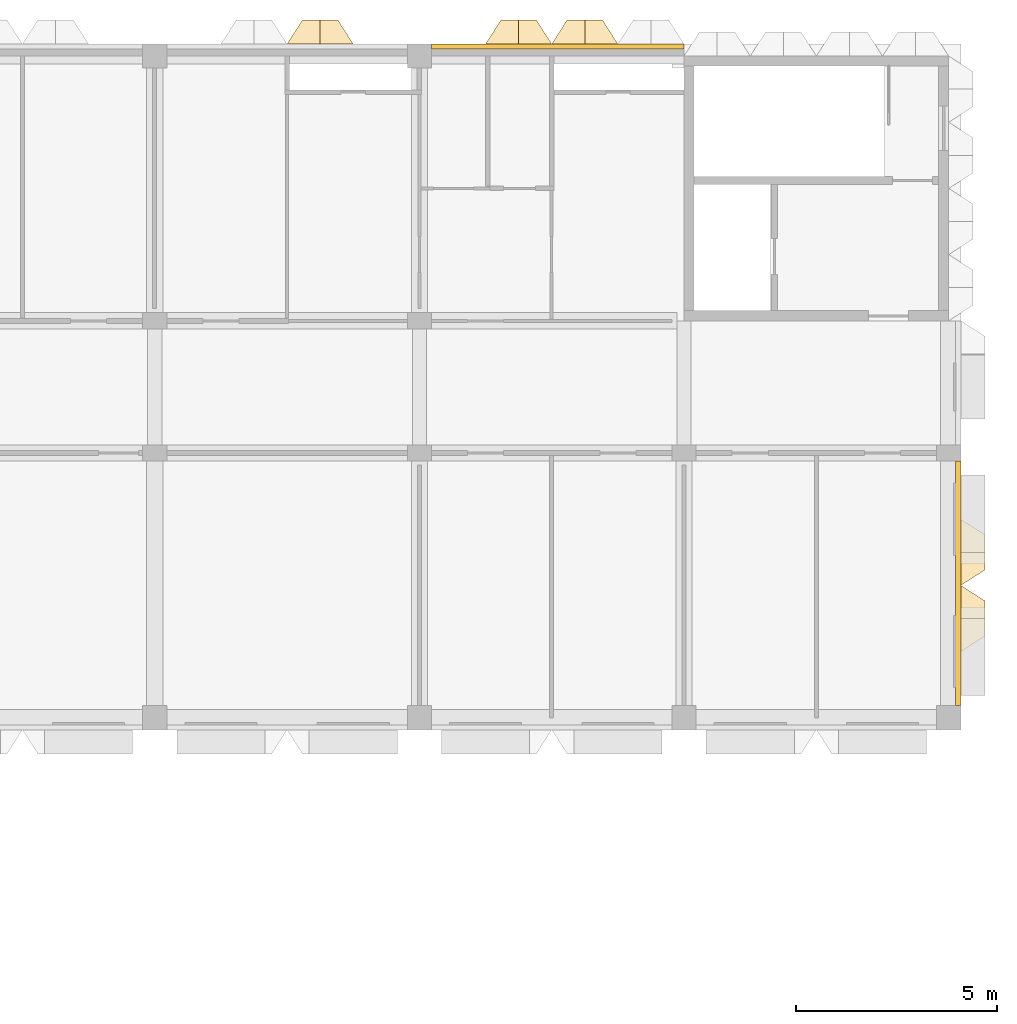
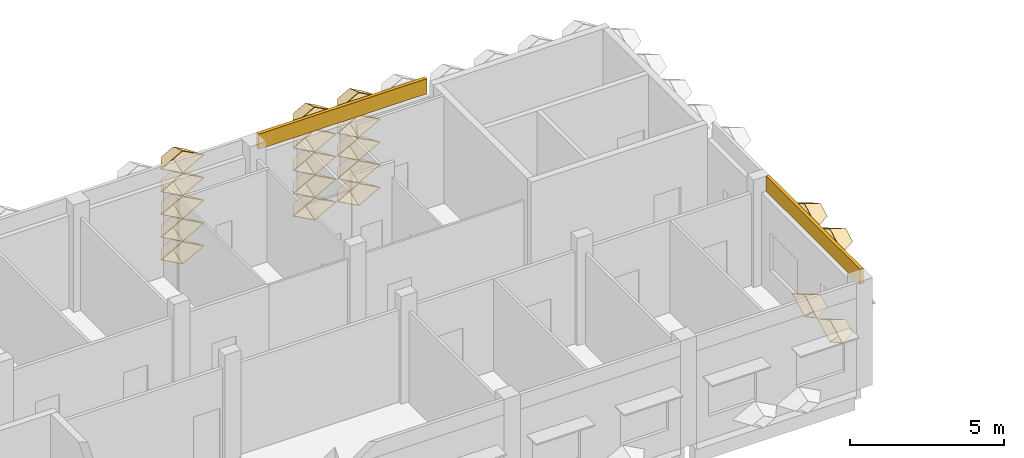
# One storey, part 81 of 85: 21 coverings.
"""IFC4 building model written with IfcOpenShell, lengths in metres."""

from ifc_helpers import new_model, entity, si_unit, direction, frame, frame_2d, origin, place, context, subcontext, project, spatial, rectangle, extrude, material, layer, layer_set, type_object, element, save


model = new_model("IFC4")

# Units and contexts
model_context = context("Model", 3, precision=1e-05, world=origin(), true_north=direction((0.0, 1.0)))
body_context = subcontext(model_context, "Body", "Model", "MODEL_VIEW")
ifc_project = project(units=[si_unit("LENGTHUNIT", "METRE"), si_unit("AREAUNIT", "SQUARE_METRE"), si_unit("VOLUMEUNIT", "CUBIC_METRE"), si_unit("PLANEANGLEUNIT", "RADIAN"), si_unit("MASSUNIT", "GRAM", prefix="KILO")], contexts=[model_context])

# Site, building, storey
site_placement = place(None, origin())
site = spatial("IfcSite", under=ifc_project, at=site_placement, CompositionType="ELEMENT")
building_placement = place(site_placement, origin())
building = spatial("IfcBuilding", under=site, at=building_placement, Name="Lantern Court Research Institute", CompositionType="ELEMENT")
storey_placement = place(building_placement, frame((0.0, 0.0, 18.89990234375)))
storey = spatial("IfcBuildingStorey", under=building, at=storey_placement, Name="L04", CompositionType="ELEMENT", Elevation=18.89990234375)

# Coverings
ifc_material_1 = material(Name="Aluminium composite panel with mineral wool insulation", Category="aluminium")
ifc_layer_1 = layer(ifc_material_1, 0.125)
ifc_layer_set_1 = layer_set([ifc_layer_1], Name="Aluminium composite panel with mineral wool insulation")
covering_type_1 = type_object("IfcCoveringType", Name="Edge fascia panel 125 aluminium faced", PredefinedType="CLADDING", material=ifc_layer_set_1)
covering_1_placement = place(storey_placement, frame((79.4375, 88.89990234375, 3.650146484375), z_axis=(0.0, 0.0, 1.0), x_axis=(0.0, -1.0, 0.0)))
element("IfcCovering", 1, at=covering_1_placement, inside=storey, type_object=covering_type_1, Name="Edge fascia V6E L04 01", PredefinedType="CLADDING", context=body_context, shape_type="SweptSolid", body=[
    extrude(rectangle(XDim=6.099853515625, YDim=0.125, at=frame_2d((3.0498046875, 0.0))), origin(), (0.0, 0.0, 1.0), 0.599853515625),
])
covering_2_placement = place(storey_placement, frame((66.300048828125, 99.237548828125, 3.650146484375), z_axis=(0.0, 0.0, 1.0), x_axis=(1.0, 0.0, 0.0)))
element("IfcCovering", 2, at=covering_2_placement, inside=storey, type_object=covering_type_1, Name="Edge fascia V6N L04 10", PredefinedType="CLADDING", context=body_context, shape_type="SweptSolid", body=[
    extrude(rectangle(XDim=6.300048828125, YDim=0.125, at=frame_2d((3.14990234375, 0.0))), origin(), (0.0, 0.0, 1.0), 0.599853515625),
])
ifc_material_2 = material(Name="Anodised aluminium", Category="aluminium")
ifc_layer_2 = layer(ifc_material_2, 0.01611328125)
ifc_layer_set_2 = layer_set([ifc_layer_2], Name="Anodised aluminium")
covering_type_2 = type_object("IfcCoveringType", Name="Fin cassette 1650 x 900 x 600 aluminium", PredefinedType="CLADDING", material=ifc_layer_set_2)
covering_3_placement = place(storey_placement, frame((79.5, 84.97509765625, 0.4501953125), z_axis=(1.0, 0.0, 0.0), x_axis=(0.0, 1.0, 0.0)))
cartesian_point_1 = entity("IfcCartesianPoint", [0.824951171875, 0.0])
cartesian_point_2 = entity("IfcCartesianPoint", [0.79150390625, 0.0])
cartesian_point_3 = entity("IfcCartesianPoint", [0.44189453125, 0.0])
cartesian_point_4 = entity("IfcCartesianPoint", [0.43359375, 0.0])
element("IfcCovering", 3, at=covering_3_placement, inside=storey, type_object=covering_type_2, Name="Fin cassette V6E-L04 1.52", PredefinedType="CLADDING", context=body_context, shape_type="SweptSolid", body=[
    entity("IfcExtrudedAreaSolidTapered", entity("IfcArbitraryProfileDefWithVoids", "AREA", None, entity("IfcPolyline", [cartesian_point_1, entity("IfcCartesianPoint", [0.0, 0.449951171875]), entity("IfcCartesianPoint", [-0.824951171875, 0.0]), entity("IfcCartesianPoint", [0.0, -0.449951171875]), cartesian_point_1]), [entity("IfcPolyline", [cartesian_point_2, entity("IfcCartesianPoint", [0.0, 0.431884765625]), entity("IfcCartesianPoint", [-0.79150390625, 0.0]), entity("IfcCartesianPoint", [0.0, -0.431884765625]), cartesian_point_2])]), entity("IfcAxis2Placement3D", entity("IfcCartesianPoint", [0.0, 0.0, 0.0])), entity("IfcDirection", [0.0, 0.0, 1.0]), 0.60009765625, entity("IfcArbitraryProfileDefWithVoids", "AREA", None, entity("IfcPolyline", [cartesian_point_3, entity("IfcCartesianPoint", [0.0, 0.240966796875]), entity("IfcCartesianPoint", [-0.44189453125, 0.0]), entity("IfcCartesianPoint", [0.0, -0.240966796875]), cartesian_point_3]), [entity("IfcPolyline", [cartesian_point_4, entity("IfcCartesianPoint", [0.0, 0.236572265625]), entity("IfcCartesianPoint", [-0.43359375, 0.0]), entity("IfcCartesianPoint", [0.0, -0.236572265625]), cartesian_point_4])])),
])
covering_4_placement = place(storey_placement, frame((79.5, 86.625, 0.4501953125), z_axis=(1.0, 0.0, 0.0), x_axis=(0.0, 1.0, 0.0)))
cartesian_point_5 = entity("IfcCartesianPoint", [0.824951171875, 0.0])
cartesian_point_6 = entity("IfcCartesianPoint", [0.79150390625, 0.0])
cartesian_point_7 = entity("IfcCartesianPoint", [0.44189453125, 0.0])
cartesian_point_8 = entity("IfcCartesianPoint", [0.43359375, 0.0])
element("IfcCovering", 4, at=covering_4_placement, inside=storey, type_object=covering_type_2, Name="Fin cassette V6E-L04 1.53", PredefinedType="CLADDING", context=body_context, shape_type="SweptSolid", body=[
    entity("IfcExtrudedAreaSolidTapered", entity("IfcArbitraryProfileDefWithVoids", "AREA", None, entity("IfcPolyline", [cartesian_point_5, entity("IfcCartesianPoint", [0.0, 0.449951171875]), entity("IfcCartesianPoint", [-0.824951171875, 0.0]), entity("IfcCartesianPoint", [0.0, -0.449951171875]), cartesian_point_5]), [entity("IfcPolyline", [cartesian_point_6, entity("IfcCartesianPoint", [0.0, 0.431884765625]), entity("IfcCartesianPoint", [-0.79150390625, 0.0]), entity("IfcCartesianPoint", [0.0, -0.431884765625]), cartesian_point_6])]), entity("IfcAxis2Placement3D", entity("IfcCartesianPoint", [0.0, 0.0, 0.0])), entity("IfcDirection", [0.0, 0.0, 1.0]), 0.60009765625, entity("IfcArbitraryProfileDefWithVoids", "AREA", None, entity("IfcPolyline", [cartesian_point_7, entity("IfcCartesianPoint", [0.0, 0.240966796875]), entity("IfcCartesianPoint", [-0.44189453125, 0.0]), entity("IfcCartesianPoint", [0.0, -0.240966796875]), cartesian_point_7]), [entity("IfcPolyline", [cartesian_point_8, entity("IfcCartesianPoint", [0.0, 0.236572265625]), entity("IfcCartesianPoint", [-0.43359375, 0.0]), entity("IfcCartesianPoint", [0.0, -0.236572265625]), cartesian_point_8])])),
])
covering_5_placement = place(storey_placement, frame((79.5, 84.97509765625, 4.050048828125), z_axis=(1.0, 0.0, 0.0), x_axis=(0.0, 1.0, 0.0)))
cartesian_point_9 = entity("IfcCartesianPoint", [0.824951171875, 0.0])
cartesian_point_10 = entity("IfcCartesianPoint", [0.79150390625, 0.0])
cartesian_point_11 = entity("IfcCartesianPoint", [0.44189453125, 0.0])
cartesian_point_12 = entity("IfcCartesianPoint", [0.43359375, 0.0])
element("IfcCovering", 5, at=covering_5_placement, inside=storey, type_object=covering_type_2, Name="Fin cassette V6E-L04 5.52", PredefinedType="CLADDING", context=body_context, shape_type="SweptSolid", body=[
    entity("IfcExtrudedAreaSolidTapered", entity("IfcArbitraryProfileDefWithVoids", "AREA", None, entity("IfcPolyline", [cartesian_point_9, entity("IfcCartesianPoint", [0.0, 0.449951171875]), entity("IfcCartesianPoint", [-0.824951171875, 0.0]), entity("IfcCartesianPoint", [0.0, -0.449951171875]), cartesian_point_9]), [entity("IfcPolyline", [cartesian_point_10, entity("IfcCartesianPoint", [0.0, 0.431884765625]), entity("IfcCartesianPoint", [-0.79150390625, 0.0]), entity("IfcCartesianPoint", [0.0, -0.431884765625]), cartesian_point_10])]), entity("IfcAxis2Placement3D", entity("IfcCartesianPoint", [0.0, 0.0, 0.0])), entity("IfcDirection", [0.0, 0.0, 1.0]), 0.60009765625, entity("IfcArbitraryProfileDefWithVoids", "AREA", None, entity("IfcPolyline", [cartesian_point_11, entity("IfcCartesianPoint", [0.0, 0.240966796875]), entity("IfcCartesianPoint", [-0.44189453125, 0.0]), entity("IfcCartesianPoint", [0.0, -0.240966796875]), cartesian_point_11]), [entity("IfcPolyline", [cartesian_point_12, entity("IfcCartesianPoint", [0.0, 0.236572265625]), entity("IfcCartesianPoint", [-0.43359375, 0.0]), entity("IfcCartesianPoint", [0.0, -0.236572265625]), cartesian_point_12])])),
])
covering_6_placement = place(storey_placement, frame((79.5, 86.625, 4.050048828125), z_axis=(1.0, 0.0, 0.0), x_axis=(0.0, 1.0, 0.0)))
cartesian_point_13 = entity("IfcCartesianPoint", [0.824951171875, 0.0])
cartesian_point_14 = entity("IfcCartesianPoint", [0.79150390625, 0.0])
cartesian_point_15 = entity("IfcCartesianPoint", [0.44189453125, 0.0])
cartesian_point_16 = entity("IfcCartesianPoint", [0.43359375, 0.0])
element("IfcCovering", 6, at=covering_6_placement, inside=storey, type_object=covering_type_2, Name="Fin cassette V6E-L04 5.53", PredefinedType="CLADDING", context=body_context, shape_type="SweptSolid", body=[
    entity("IfcExtrudedAreaSolidTapered", entity("IfcArbitraryProfileDefWithVoids", "AREA", None, entity("IfcPolyline", [cartesian_point_13, entity("IfcCartesianPoint", [0.0, 0.449951171875]), entity("IfcCartesianPoint", [-0.824951171875, 0.0]), entity("IfcCartesianPoint", [0.0, -0.449951171875]), cartesian_point_13]), [entity("IfcPolyline", [cartesian_point_14, entity("IfcCartesianPoint", [0.0, 0.431884765625]), entity("IfcCartesianPoint", [-0.79150390625, 0.0]), entity("IfcCartesianPoint", [0.0, -0.431884765625]), cartesian_point_14])]), entity("IfcAxis2Placement3D", entity("IfcCartesianPoint", [0.0, 0.0, 0.0])), entity("IfcDirection", [0.0, 0.0, 1.0]), 0.60009765625, entity("IfcArbitraryProfileDefWithVoids", "AREA", None, entity("IfcPolyline", [cartesian_point_15, entity("IfcCartesianPoint", [0.0, 0.240966796875]), entity("IfcCartesianPoint", [-0.44189453125, 0.0]), entity("IfcCartesianPoint", [0.0, -0.240966796875]), cartesian_point_15]), [entity("IfcPolyline", [cartesian_point_16, entity("IfcCartesianPoint", [0.0, 0.236572265625]), entity("IfcCartesianPoint", [-0.43359375, 0.0]), entity("IfcCartesianPoint", [0.0, -0.236572265625]), cartesian_point_16])])),
])
covering_7_placement = place(storey_placement, frame((63.52490234375, 99.300048828125, 0.4501953125), z_axis=(0.0, 1.0, 0.0), x_axis=(-1.0, 0.0, 0.0)))
cartesian_point_17 = entity("IfcCartesianPoint", [0.824951171875, 0.0])
cartesian_point_18 = entity("IfcCartesianPoint", [0.79150390625, 0.0])
cartesian_point_19 = entity("IfcCartesianPoint", [0.44189453125, 0.0])
cartesian_point_20 = entity("IfcCartesianPoint", [0.43359375, 0.0])
element("IfcCovering", 7, at=covering_7_placement, inside=storey, type_object=covering_type_2, Name="Fin cassette V6N-L04 1.39", PredefinedType="CLADDING", context=body_context, shape_type="SweptSolid", body=[
    entity("IfcExtrudedAreaSolidTapered", entity("IfcArbitraryProfileDefWithVoids", "AREA", None, entity("IfcPolyline", [cartesian_point_17, entity("IfcCartesianPoint", [0.0, 0.449951171875]), entity("IfcCartesianPoint", [-0.824951171875, 0.0]), entity("IfcCartesianPoint", [0.0, -0.449951171875]), cartesian_point_17]), [entity("IfcPolyline", [cartesian_point_18, entity("IfcCartesianPoint", [0.0, 0.431884765625]), entity("IfcCartesianPoint", [-0.79150390625, 0.0]), entity("IfcCartesianPoint", [0.0, -0.431884765625]), cartesian_point_18])]), entity("IfcAxis2Placement3D", entity("IfcCartesianPoint", [0.0, 0.0, 0.0])), entity("IfcDirection", [0.0, 0.0, 1.0]), 0.60009765625, entity("IfcArbitraryProfileDefWithVoids", "AREA", None, entity("IfcPolyline", [cartesian_point_19, entity("IfcCartesianPoint", [0.0, 0.240966796875]), entity("IfcCartesianPoint", [-0.44189453125, 0.0]), entity("IfcCartesianPoint", [0.0, -0.240966796875]), cartesian_point_19]), [entity("IfcPolyline", [cartesian_point_20, entity("IfcCartesianPoint", [0.0, 0.236572265625]), entity("IfcCartesianPoint", [-0.43359375, 0.0]), entity("IfcCartesianPoint", [0.0, -0.236572265625]), cartesian_point_20])])),
])
covering_8_placement = place(storey_placement, frame((68.47509765625, 99.300048828125, 0.4501953125), z_axis=(0.0, 1.0, 0.0), x_axis=(-1.0, 0.0, 0.0)))
cartesian_point_21 = entity("IfcCartesianPoint", [0.824951171875, 0.0])
cartesian_point_22 = entity("IfcCartesianPoint", [0.79150390625, 0.0])
cartesian_point_23 = entity("IfcCartesianPoint", [0.44189453125, 0.0])
cartesian_point_24 = entity("IfcCartesianPoint", [0.43359375, 0.0])
element("IfcCovering", 8, at=covering_8_placement, inside=storey, type_object=covering_type_2, Name="Fin cassette V6N-L04 1.42", PredefinedType="CLADDING", context=body_context, shape_type="SweptSolid", body=[
    entity("IfcExtrudedAreaSolidTapered", entity("IfcArbitraryProfileDefWithVoids", "AREA", None, entity("IfcPolyline", [cartesian_point_21, entity("IfcCartesianPoint", [0.0, 0.449951171875]), entity("IfcCartesianPoint", [-0.824951171875, 0.0]), entity("IfcCartesianPoint", [0.0, -0.449951171875]), cartesian_point_21]), [entity("IfcPolyline", [cartesian_point_22, entity("IfcCartesianPoint", [0.0, 0.431884765625]), entity("IfcCartesianPoint", [-0.79150390625, 0.0]), entity("IfcCartesianPoint", [0.0, -0.431884765625]), cartesian_point_22])]), entity("IfcAxis2Placement3D", entity("IfcCartesianPoint", [0.0, 0.0, 0.0])), entity("IfcDirection", [0.0, 0.0, 1.0]), 0.60009765625, entity("IfcArbitraryProfileDefWithVoids", "AREA", None, entity("IfcPolyline", [cartesian_point_23, entity("IfcCartesianPoint", [0.0, 0.240966796875]), entity("IfcCartesianPoint", [-0.44189453125, 0.0]), entity("IfcCartesianPoint", [0.0, -0.240966796875]), cartesian_point_23]), [entity("IfcPolyline", [cartesian_point_24, entity("IfcCartesianPoint", [0.0, 0.236572265625]), entity("IfcCartesianPoint", [-0.43359375, 0.0]), entity("IfcCartesianPoint", [0.0, -0.236572265625]), cartesian_point_24])])),
])
covering_9_placement = place(storey_placement, frame((70.125, 99.300048828125, 0.4501953125), z_axis=(0.0, 1.0, 0.0), x_axis=(-1.0, 0.0, 0.0)))
cartesian_point_25 = entity("IfcCartesianPoint", [0.824951171875, 0.0])
cartesian_point_26 = entity("IfcCartesianPoint", [0.79150390625, 0.0])
cartesian_point_27 = entity("IfcCartesianPoint", [0.44189453125, 0.0])
cartesian_point_28 = entity("IfcCartesianPoint", [0.43359375, 0.0])
element("IfcCovering", 9, at=covering_9_placement, inside=storey, type_object=covering_type_2, Name="Fin cassette V6N-L04 1.43", PredefinedType="CLADDING", context=body_context, shape_type="SweptSolid", body=[
    entity("IfcExtrudedAreaSolidTapered", entity("IfcArbitraryProfileDefWithVoids", "AREA", None, entity("IfcPolyline", [cartesian_point_25, entity("IfcCartesianPoint", [0.0, 0.449951171875]), entity("IfcCartesianPoint", [-0.824951171875, 0.0]), entity("IfcCartesianPoint", [0.0, -0.449951171875]), cartesian_point_25]), [entity("IfcPolyline", [cartesian_point_26, entity("IfcCartesianPoint", [0.0, 0.431884765625]), entity("IfcCartesianPoint", [-0.79150390625, 0.0]), entity("IfcCartesianPoint", [0.0, -0.431884765625]), cartesian_point_26])]), entity("IfcAxis2Placement3D", entity("IfcCartesianPoint", [0.0, 0.0, 0.0])), entity("IfcDirection", [0.0, 0.0, 1.0]), 0.60009765625, entity("IfcArbitraryProfileDefWithVoids", "AREA", None, entity("IfcPolyline", [cartesian_point_27, entity("IfcCartesianPoint", [0.0, 0.240966796875]), entity("IfcCartesianPoint", [-0.44189453125, 0.0]), entity("IfcCartesianPoint", [0.0, -0.240966796875]), cartesian_point_27]), [entity("IfcPolyline", [cartesian_point_28, entity("IfcCartesianPoint", [0.0, 0.236572265625]), entity("IfcCartesianPoint", [-0.43359375, 0.0]), entity("IfcCartesianPoint", [0.0, -0.236572265625]), cartesian_point_28])])),
])
covering_10_placement = place(storey_placement, frame((63.52490234375, 99.300048828125, 1.35009765625), z_axis=(0.0, 1.0, 0.0), x_axis=(-1.0, 0.0, 0.0)))
cartesian_point_29 = entity("IfcCartesianPoint", [0.824951171875, 0.0])
cartesian_point_30 = entity("IfcCartesianPoint", [0.79150390625, 0.0])
cartesian_point_31 = entity("IfcCartesianPoint", [0.44189453125, 0.0])
cartesian_point_32 = entity("IfcCartesianPoint", [0.43359375, 0.0])
element("IfcCovering", 10, at=covering_10_placement, inside=storey, type_object=covering_type_2, Name="Fin cassette V6N-L04 2.39", PredefinedType="CLADDING", context=body_context, shape_type="SweptSolid", body=[
    entity("IfcExtrudedAreaSolidTapered", entity("IfcArbitraryProfileDefWithVoids", "AREA", None, entity("IfcPolyline", [cartesian_point_29, entity("IfcCartesianPoint", [0.0, 0.449951171875]), entity("IfcCartesianPoint", [-0.824951171875, 0.0]), entity("IfcCartesianPoint", [0.0, -0.449951171875]), cartesian_point_29]), [entity("IfcPolyline", [cartesian_point_30, entity("IfcCartesianPoint", [0.0, 0.431884765625]), entity("IfcCartesianPoint", [-0.79150390625, 0.0]), entity("IfcCartesianPoint", [0.0, -0.431884765625]), cartesian_point_30])]), entity("IfcAxis2Placement3D", entity("IfcCartesianPoint", [0.0, 0.0, 0.0])), entity("IfcDirection", [0.0, 0.0, 1.0]), 0.60009765625, entity("IfcArbitraryProfileDefWithVoids", "AREA", None, entity("IfcPolyline", [cartesian_point_31, entity("IfcCartesianPoint", [0.0, 0.240966796875]), entity("IfcCartesianPoint", [-0.44189453125, 0.0]), entity("IfcCartesianPoint", [0.0, -0.240966796875]), cartesian_point_31]), [entity("IfcPolyline", [cartesian_point_32, entity("IfcCartesianPoint", [0.0, 0.236572265625]), entity("IfcCartesianPoint", [-0.43359375, 0.0]), entity("IfcCartesianPoint", [0.0, -0.236572265625]), cartesian_point_32])])),
])
covering_11_placement = place(storey_placement, frame((68.47509765625, 99.300048828125, 1.35009765625), z_axis=(0.0, 1.0, 0.0), x_axis=(-1.0, 0.0, 0.0)))
cartesian_point_33 = entity("IfcCartesianPoint", [0.824951171875, 0.0])
cartesian_point_34 = entity("IfcCartesianPoint", [0.79150390625, 0.0])
cartesian_point_35 = entity("IfcCartesianPoint", [0.44189453125, 0.0])
cartesian_point_36 = entity("IfcCartesianPoint", [0.43359375, 0.0])
element("IfcCovering", 11, at=covering_11_placement, inside=storey, type_object=covering_type_2, Name="Fin cassette V6N-L04 2.42", PredefinedType="CLADDING", context=body_context, shape_type="SweptSolid", body=[
    entity("IfcExtrudedAreaSolidTapered", entity("IfcArbitraryProfileDefWithVoids", "AREA", None, entity("IfcPolyline", [cartesian_point_33, entity("IfcCartesianPoint", [0.0, 0.449951171875]), entity("IfcCartesianPoint", [-0.824951171875, 0.0]), entity("IfcCartesianPoint", [0.0, -0.449951171875]), cartesian_point_33]), [entity("IfcPolyline", [cartesian_point_34, entity("IfcCartesianPoint", [0.0, 0.431884765625]), entity("IfcCartesianPoint", [-0.79150390625, 0.0]), entity("IfcCartesianPoint", [0.0, -0.431884765625]), cartesian_point_34])]), entity("IfcAxis2Placement3D", entity("IfcCartesianPoint", [0.0, 0.0, 0.0])), entity("IfcDirection", [0.0, 0.0, 1.0]), 0.60009765625, entity("IfcArbitraryProfileDefWithVoids", "AREA", None, entity("IfcPolyline", [cartesian_point_35, entity("IfcCartesianPoint", [0.0, 0.240966796875]), entity("IfcCartesianPoint", [-0.44189453125, 0.0]), entity("IfcCartesianPoint", [0.0, -0.240966796875]), cartesian_point_35]), [entity("IfcPolyline", [cartesian_point_36, entity("IfcCartesianPoint", [0.0, 0.236572265625]), entity("IfcCartesianPoint", [-0.43359375, 0.0]), entity("IfcCartesianPoint", [0.0, -0.236572265625]), cartesian_point_36])])),
])
covering_12_placement = place(storey_placement, frame((70.125, 99.300048828125, 1.35009765625), z_axis=(0.0, 1.0, 0.0), x_axis=(-1.0, 0.0, 0.0)))
cartesian_point_37 = entity("IfcCartesianPoint", [0.824951171875, 0.0])
cartesian_point_38 = entity("IfcCartesianPoint", [0.79150390625, 0.0])
cartesian_point_39 = entity("IfcCartesianPoint", [0.44189453125, 0.0])
cartesian_point_40 = entity("IfcCartesianPoint", [0.43359375, 0.0])
element("IfcCovering", 12, at=covering_12_placement, inside=storey, type_object=covering_type_2, Name="Fin cassette V6N-L04 2.43", PredefinedType="CLADDING", context=body_context, shape_type="SweptSolid", body=[
    entity("IfcExtrudedAreaSolidTapered", entity("IfcArbitraryProfileDefWithVoids", "AREA", None, entity("IfcPolyline", [cartesian_point_37, entity("IfcCartesianPoint", [0.0, 0.449951171875]), entity("IfcCartesianPoint", [-0.824951171875, 0.0]), entity("IfcCartesianPoint", [0.0, -0.449951171875]), cartesian_point_37]), [entity("IfcPolyline", [cartesian_point_38, entity("IfcCartesianPoint", [0.0, 0.431884765625]), entity("IfcCartesianPoint", [-0.79150390625, 0.0]), entity("IfcCartesianPoint", [0.0, -0.431884765625]), cartesian_point_38])]), entity("IfcAxis2Placement3D", entity("IfcCartesianPoint", [0.0, 0.0, 0.0])), entity("IfcDirection", [0.0, 0.0, 1.0]), 0.60009765625, entity("IfcArbitraryProfileDefWithVoids", "AREA", None, entity("IfcPolyline", [cartesian_point_39, entity("IfcCartesianPoint", [0.0, 0.240966796875]), entity("IfcCartesianPoint", [-0.44189453125, 0.0]), entity("IfcCartesianPoint", [0.0, -0.240966796875]), cartesian_point_39]), [entity("IfcPolyline", [cartesian_point_40, entity("IfcCartesianPoint", [0.0, 0.236572265625]), entity("IfcCartesianPoint", [-0.43359375, 0.0]), entity("IfcCartesianPoint", [0.0, -0.236572265625]), cartesian_point_40])])),
])
covering_13_placement = place(storey_placement, frame((63.52490234375, 99.300048828125, 2.25), z_axis=(0.0, 1.0, 0.0), x_axis=(-1.0, 0.0, 0.0)))
cartesian_point_41 = entity("IfcCartesianPoint", [0.824951171875, 0.0])
cartesian_point_42 = entity("IfcCartesianPoint", [0.79150390625, 0.0])
cartesian_point_43 = entity("IfcCartesianPoint", [0.44189453125, 0.0])
cartesian_point_44 = entity("IfcCartesianPoint", [0.43359375, 0.0])
element("IfcCovering", 13, at=covering_13_placement, inside=storey, type_object=covering_type_2, Name="Fin cassette V6N-L04 3.39", PredefinedType="CLADDING", context=body_context, shape_type="SweptSolid", body=[
    entity("IfcExtrudedAreaSolidTapered", entity("IfcArbitraryProfileDefWithVoids", "AREA", None, entity("IfcPolyline", [cartesian_point_41, entity("IfcCartesianPoint", [0.0, 0.449951171875]), entity("IfcCartesianPoint", [-0.824951171875, 0.0]), entity("IfcCartesianPoint", [0.0, -0.449951171875]), cartesian_point_41]), [entity("IfcPolyline", [cartesian_point_42, entity("IfcCartesianPoint", [0.0, 0.431884765625]), entity("IfcCartesianPoint", [-0.79150390625, 0.0]), entity("IfcCartesianPoint", [0.0, -0.431884765625]), cartesian_point_42])]), entity("IfcAxis2Placement3D", entity("IfcCartesianPoint", [0.0, 0.0, 0.0])), entity("IfcDirection", [0.0, 0.0, 1.0]), 0.60009765625, entity("IfcArbitraryProfileDefWithVoids", "AREA", None, entity("IfcPolyline", [cartesian_point_43, entity("IfcCartesianPoint", [0.0, 0.240966796875]), entity("IfcCartesianPoint", [-0.44189453125, 0.0]), entity("IfcCartesianPoint", [0.0, -0.240966796875]), cartesian_point_43]), [entity("IfcPolyline", [cartesian_point_44, entity("IfcCartesianPoint", [0.0, 0.236572265625]), entity("IfcCartesianPoint", [-0.43359375, 0.0]), entity("IfcCartesianPoint", [0.0, -0.236572265625]), cartesian_point_44])])),
])
covering_14_placement = place(storey_placement, frame((68.47509765625, 99.300048828125, 2.25), z_axis=(0.0, 1.0, 0.0), x_axis=(-1.0, 0.0, 0.0)))
cartesian_point_45 = entity("IfcCartesianPoint", [0.824951171875, 0.0])
cartesian_point_46 = entity("IfcCartesianPoint", [0.79150390625, 0.0])
cartesian_point_47 = entity("IfcCartesianPoint", [0.44189453125, 0.0])
cartesian_point_48 = entity("IfcCartesianPoint", [0.43359375, 0.0])
element("IfcCovering", 14, at=covering_14_placement, inside=storey, type_object=covering_type_2, Name="Fin cassette V6N-L04 3.42", PredefinedType="CLADDING", context=body_context, shape_type="SweptSolid", body=[
    entity("IfcExtrudedAreaSolidTapered", entity("IfcArbitraryProfileDefWithVoids", "AREA", None, entity("IfcPolyline", [cartesian_point_45, entity("IfcCartesianPoint", [0.0, 0.449951171875]), entity("IfcCartesianPoint", [-0.824951171875, 0.0]), entity("IfcCartesianPoint", [0.0, -0.449951171875]), cartesian_point_45]), [entity("IfcPolyline", [cartesian_point_46, entity("IfcCartesianPoint", [0.0, 0.431884765625]), entity("IfcCartesianPoint", [-0.79150390625, 0.0]), entity("IfcCartesianPoint", [0.0, -0.431884765625]), cartesian_point_46])]), entity("IfcAxis2Placement3D", entity("IfcCartesianPoint", [0.0, 0.0, 0.0])), entity("IfcDirection", [0.0, 0.0, 1.0]), 0.60009765625, entity("IfcArbitraryProfileDefWithVoids", "AREA", None, entity("IfcPolyline", [cartesian_point_47, entity("IfcCartesianPoint", [0.0, 0.240966796875]), entity("IfcCartesianPoint", [-0.44189453125, 0.0]), entity("IfcCartesianPoint", [0.0, -0.240966796875]), cartesian_point_47]), [entity("IfcPolyline", [cartesian_point_48, entity("IfcCartesianPoint", [0.0, 0.236572265625]), entity("IfcCartesianPoint", [-0.43359375, 0.0]), entity("IfcCartesianPoint", [0.0, -0.236572265625]), cartesian_point_48])])),
])
covering_15_placement = place(storey_placement, frame((70.125, 99.300048828125, 2.25), z_axis=(0.0, 1.0, 0.0), x_axis=(-1.0, 0.0, 0.0)))
cartesian_point_49 = entity("IfcCartesianPoint", [0.824951171875, 0.0])
cartesian_point_50 = entity("IfcCartesianPoint", [0.79150390625, 0.0])
cartesian_point_51 = entity("IfcCartesianPoint", [0.44189453125, 0.0])
cartesian_point_52 = entity("IfcCartesianPoint", [0.43359375, 0.0])
element("IfcCovering", 15, at=covering_15_placement, inside=storey, type_object=covering_type_2, Name="Fin cassette V6N-L04 3.43", PredefinedType="CLADDING", context=body_context, shape_type="SweptSolid", body=[
    entity("IfcExtrudedAreaSolidTapered", entity("IfcArbitraryProfileDefWithVoids", "AREA", None, entity("IfcPolyline", [cartesian_point_49, entity("IfcCartesianPoint", [0.0, 0.449951171875]), entity("IfcCartesianPoint", [-0.824951171875, 0.0]), entity("IfcCartesianPoint", [0.0, -0.449951171875]), cartesian_point_49]), [entity("IfcPolyline", [cartesian_point_50, entity("IfcCartesianPoint", [0.0, 0.431884765625]), entity("IfcCartesianPoint", [-0.79150390625, 0.0]), entity("IfcCartesianPoint", [0.0, -0.431884765625]), cartesian_point_50])]), entity("IfcAxis2Placement3D", entity("IfcCartesianPoint", [0.0, 0.0, 0.0])), entity("IfcDirection", [0.0, 0.0, 1.0]), 0.60009765625, entity("IfcArbitraryProfileDefWithVoids", "AREA", None, entity("IfcPolyline", [cartesian_point_51, entity("IfcCartesianPoint", [0.0, 0.240966796875]), entity("IfcCartesianPoint", [-0.44189453125, 0.0]), entity("IfcCartesianPoint", [0.0, -0.240966796875]), cartesian_point_51]), [entity("IfcPolyline", [cartesian_point_52, entity("IfcCartesianPoint", [0.0, 0.236572265625]), entity("IfcCartesianPoint", [-0.43359375, 0.0]), entity("IfcCartesianPoint", [0.0, -0.236572265625]), cartesian_point_52])])),
])
covering_16_placement = place(storey_placement, frame((63.52490234375, 99.300048828125, 3.150146484375), z_axis=(0.0, 1.0, 0.0), x_axis=(-1.0, 0.0, 0.0)))
cartesian_point_53 = entity("IfcCartesianPoint", [0.824951171875, 0.0])
cartesian_point_54 = entity("IfcCartesianPoint", [0.79150390625, 0.0])
cartesian_point_55 = entity("IfcCartesianPoint", [0.44189453125, 0.0])
cartesian_point_56 = entity("IfcCartesianPoint", [0.43359375, 0.0])
element("IfcCovering", 16, at=covering_16_placement, inside=storey, type_object=covering_type_2, Name="Fin cassette V6N-L04 4.39", PredefinedType="CLADDING", context=body_context, shape_type="SweptSolid", body=[
    entity("IfcExtrudedAreaSolidTapered", entity("IfcArbitraryProfileDefWithVoids", "AREA", None, entity("IfcPolyline", [cartesian_point_53, entity("IfcCartesianPoint", [0.0, 0.449951171875]), entity("IfcCartesianPoint", [-0.824951171875, 0.0]), entity("IfcCartesianPoint", [0.0, -0.449951171875]), cartesian_point_53]), [entity("IfcPolyline", [cartesian_point_54, entity("IfcCartesianPoint", [0.0, 0.431884765625]), entity("IfcCartesianPoint", [-0.79150390625, 0.0]), entity("IfcCartesianPoint", [0.0, -0.431884765625]), cartesian_point_54])]), entity("IfcAxis2Placement3D", entity("IfcCartesianPoint", [0.0, 0.0, 0.0])), entity("IfcDirection", [0.0, 0.0, 1.0]), 0.60009765625, entity("IfcArbitraryProfileDefWithVoids", "AREA", None, entity("IfcPolyline", [cartesian_point_55, entity("IfcCartesianPoint", [0.0, 0.240966796875]), entity("IfcCartesianPoint", [-0.44189453125, 0.0]), entity("IfcCartesianPoint", [0.0, -0.240966796875]), cartesian_point_55]), [entity("IfcPolyline", [cartesian_point_56, entity("IfcCartesianPoint", [0.0, 0.236572265625]), entity("IfcCartesianPoint", [-0.43359375, 0.0]), entity("IfcCartesianPoint", [0.0, -0.236572265625]), cartesian_point_56])])),
])
covering_17_placement = place(storey_placement, frame((68.47509765625, 99.300048828125, 3.150146484375), z_axis=(0.0, 1.0, 0.0), x_axis=(-1.0, 0.0, 0.0)))
cartesian_point_57 = entity("IfcCartesianPoint", [0.824951171875, 0.0])
cartesian_point_58 = entity("IfcCartesianPoint", [0.79150390625, 0.0])
cartesian_point_59 = entity("IfcCartesianPoint", [0.44189453125, 0.0])
cartesian_point_60 = entity("IfcCartesianPoint", [0.43359375, 0.0])
element("IfcCovering", 17, at=covering_17_placement, inside=storey, type_object=covering_type_2, Name="Fin cassette V6N-L04 4.42", PredefinedType="CLADDING", context=body_context, shape_type="SweptSolid", body=[
    entity("IfcExtrudedAreaSolidTapered", entity("IfcArbitraryProfileDefWithVoids", "AREA", None, entity("IfcPolyline", [cartesian_point_57, entity("IfcCartesianPoint", [0.0, 0.449951171875]), entity("IfcCartesianPoint", [-0.824951171875, 0.0]), entity("IfcCartesianPoint", [0.0, -0.449951171875]), cartesian_point_57]), [entity("IfcPolyline", [cartesian_point_58, entity("IfcCartesianPoint", [0.0, 0.431884765625]), entity("IfcCartesianPoint", [-0.79150390625, 0.0]), entity("IfcCartesianPoint", [0.0, -0.431884765625]), cartesian_point_58])]), entity("IfcAxis2Placement3D", entity("IfcCartesianPoint", [0.0, 0.0, 0.0])), entity("IfcDirection", [0.0, 0.0, 1.0]), 0.60009765625, entity("IfcArbitraryProfileDefWithVoids", "AREA", None, entity("IfcPolyline", [cartesian_point_59, entity("IfcCartesianPoint", [0.0, 0.240966796875]), entity("IfcCartesianPoint", [-0.44189453125, 0.0]), entity("IfcCartesianPoint", [0.0, -0.240966796875]), cartesian_point_59]), [entity("IfcPolyline", [cartesian_point_60, entity("IfcCartesianPoint", [0.0, 0.236572265625]), entity("IfcCartesianPoint", [-0.43359375, 0.0]), entity("IfcCartesianPoint", [0.0, -0.236572265625]), cartesian_point_60])])),
])
covering_18_placement = place(storey_placement, frame((70.125, 99.300048828125, 3.150146484375), z_axis=(0.0, 1.0, 0.0), x_axis=(-1.0, 0.0, 0.0)))
cartesian_point_61 = entity("IfcCartesianPoint", [0.824951171875, 0.0])
cartesian_point_62 = entity("IfcCartesianPoint", [0.79150390625, 0.0])
cartesian_point_63 = entity("IfcCartesianPoint", [0.44189453125, 0.0])
cartesian_point_64 = entity("IfcCartesianPoint", [0.43359375, 0.0])
element("IfcCovering", 18, at=covering_18_placement, inside=storey, type_object=covering_type_2, Name="Fin cassette V6N-L04 4.43", PredefinedType="CLADDING", context=body_context, shape_type="SweptSolid", body=[
    entity("IfcExtrudedAreaSolidTapered", entity("IfcArbitraryProfileDefWithVoids", "AREA", None, entity("IfcPolyline", [cartesian_point_61, entity("IfcCartesianPoint", [0.0, 0.449951171875]), entity("IfcCartesianPoint", [-0.824951171875, 0.0]), entity("IfcCartesianPoint", [0.0, -0.449951171875]), cartesian_point_61]), [entity("IfcPolyline", [cartesian_point_62, entity("IfcCartesianPoint", [0.0, 0.431884765625]), entity("IfcCartesianPoint", [-0.79150390625, 0.0]), entity("IfcCartesianPoint", [0.0, -0.431884765625]), cartesian_point_62])]), entity("IfcAxis2Placement3D", entity("IfcCartesianPoint", [0.0, 0.0, 0.0])), entity("IfcDirection", [0.0, 0.0, 1.0]), 0.60009765625, entity("IfcArbitraryProfileDefWithVoids", "AREA", None, entity("IfcPolyline", [cartesian_point_63, entity("IfcCartesianPoint", [0.0, 0.240966796875]), entity("IfcCartesianPoint", [-0.44189453125, 0.0]), entity("IfcCartesianPoint", [0.0, -0.240966796875]), cartesian_point_63]), [entity("IfcPolyline", [cartesian_point_64, entity("IfcCartesianPoint", [0.0, 0.236572265625]), entity("IfcCartesianPoint", [-0.43359375, 0.0]), entity("IfcCartesianPoint", [0.0, -0.236572265625]), cartesian_point_64])])),
])
covering_19_placement = place(storey_placement, frame((63.52490234375, 99.300048828125, 4.050048828125), z_axis=(0.0, 1.0, 0.0), x_axis=(-1.0, 0.0, 0.0)))
cartesian_point_65 = entity("IfcCartesianPoint", [0.824951171875, 0.0])
cartesian_point_66 = entity("IfcCartesianPoint", [0.79150390625, 0.0])
cartesian_point_67 = entity("IfcCartesianPoint", [0.44189453125, 0.0])
cartesian_point_68 = entity("IfcCartesianPoint", [0.43359375, 0.0])
element("IfcCovering", 19, at=covering_19_placement, inside=storey, type_object=covering_type_2, Name="Fin cassette V6N-L04 5.39", PredefinedType="CLADDING", context=body_context, shape_type="SweptSolid", body=[
    entity("IfcExtrudedAreaSolidTapered", entity("IfcArbitraryProfileDefWithVoids", "AREA", None, entity("IfcPolyline", [cartesian_point_65, entity("IfcCartesianPoint", [0.0, 0.449951171875]), entity("IfcCartesianPoint", [-0.824951171875, 0.0]), entity("IfcCartesianPoint", [0.0, -0.449951171875]), cartesian_point_65]), [entity("IfcPolyline", [cartesian_point_66, entity("IfcCartesianPoint", [0.0, 0.431884765625]), entity("IfcCartesianPoint", [-0.79150390625, 0.0]), entity("IfcCartesianPoint", [0.0, -0.431884765625]), cartesian_point_66])]), entity("IfcAxis2Placement3D", entity("IfcCartesianPoint", [0.0, 0.0, 0.0])), entity("IfcDirection", [0.0, 0.0, 1.0]), 0.60009765625, entity("IfcArbitraryProfileDefWithVoids", "AREA", None, entity("IfcPolyline", [cartesian_point_67, entity("IfcCartesianPoint", [0.0, 0.240966796875]), entity("IfcCartesianPoint", [-0.44189453125, 0.0]), entity("IfcCartesianPoint", [0.0, -0.240966796875]), cartesian_point_67]), [entity("IfcPolyline", [cartesian_point_68, entity("IfcCartesianPoint", [0.0, 0.236572265625]), entity("IfcCartesianPoint", [-0.43359375, 0.0]), entity("IfcCartesianPoint", [0.0, -0.236572265625]), cartesian_point_68])])),
])
covering_20_placement = place(storey_placement, frame((68.47509765625, 99.300048828125, 4.050048828125), z_axis=(0.0, 1.0, 0.0), x_axis=(-1.0, 0.0, 0.0)))
cartesian_point_69 = entity("IfcCartesianPoint", [0.824951171875, 0.0])
cartesian_point_70 = entity("IfcCartesianPoint", [0.79150390625, 0.0])
cartesian_point_71 = entity("IfcCartesianPoint", [0.44189453125, 0.0])
cartesian_point_72 = entity("IfcCartesianPoint", [0.43359375, 0.0])
element("IfcCovering", 20, at=covering_20_placement, inside=storey, type_object=covering_type_2, Name="Fin cassette V6N-L04 5.42", PredefinedType="CLADDING", context=body_context, shape_type="SweptSolid", body=[
    entity("IfcExtrudedAreaSolidTapered", entity("IfcArbitraryProfileDefWithVoids", "AREA", None, entity("IfcPolyline", [cartesian_point_69, entity("IfcCartesianPoint", [0.0, 0.449951171875]), entity("IfcCartesianPoint", [-0.824951171875, 0.0]), entity("IfcCartesianPoint", [0.0, -0.449951171875]), cartesian_point_69]), [entity("IfcPolyline", [cartesian_point_70, entity("IfcCartesianPoint", [0.0, 0.431884765625]), entity("IfcCartesianPoint", [-0.79150390625, 0.0]), entity("IfcCartesianPoint", [0.0, -0.431884765625]), cartesian_point_70])]), entity("IfcAxis2Placement3D", entity("IfcCartesianPoint", [0.0, 0.0, 0.0])), entity("IfcDirection", [0.0, 0.0, 1.0]), 0.60009765625, entity("IfcArbitraryProfileDefWithVoids", "AREA", None, entity("IfcPolyline", [cartesian_point_71, entity("IfcCartesianPoint", [0.0, 0.240966796875]), entity("IfcCartesianPoint", [-0.44189453125, 0.0]), entity("IfcCartesianPoint", [0.0, -0.240966796875]), cartesian_point_71]), [entity("IfcPolyline", [cartesian_point_72, entity("IfcCartesianPoint", [0.0, 0.236572265625]), entity("IfcCartesianPoint", [-0.43359375, 0.0]), entity("IfcCartesianPoint", [0.0, -0.236572265625]), cartesian_point_72])])),
])
covering_21_placement = place(storey_placement, frame((70.125, 99.300048828125, 4.050048828125), z_axis=(0.0, 1.0, 0.0), x_axis=(-1.0, 0.0, 0.0)))
cartesian_point_73 = entity("IfcCartesianPoint", [0.824951171875, 0.0])
cartesian_point_74 = entity("IfcCartesianPoint", [0.79150390625, 0.0])
cartesian_point_75 = entity("IfcCartesianPoint", [0.44189453125, 0.0])
cartesian_point_76 = entity("IfcCartesianPoint", [0.43359375, 0.0])
element("IfcCovering", 21, at=covering_21_placement, inside=storey, type_object=covering_type_2, Name="Fin cassette V6N-L04 5.43", PredefinedType="CLADDING", context=body_context, shape_type="SweptSolid", body=[
    entity("IfcExtrudedAreaSolidTapered", entity("IfcArbitraryProfileDefWithVoids", "AREA", None, entity("IfcPolyline", [cartesian_point_73, entity("IfcCartesianPoint", [0.0, 0.449951171875]), entity("IfcCartesianPoint", [-0.824951171875, 0.0]), entity("IfcCartesianPoint", [0.0, -0.449951171875]), cartesian_point_73]), [entity("IfcPolyline", [cartesian_point_74, entity("IfcCartesianPoint", [0.0, 0.431884765625]), entity("IfcCartesianPoint", [-0.79150390625, 0.0]), entity("IfcCartesianPoint", [0.0, -0.431884765625]), cartesian_point_74])]), entity("IfcAxis2Placement3D", entity("IfcCartesianPoint", [0.0, 0.0, 0.0])), entity("IfcDirection", [0.0, 0.0, 1.0]), 0.60009765625, entity("IfcArbitraryProfileDefWithVoids", "AREA", None, entity("IfcPolyline", [cartesian_point_75, entity("IfcCartesianPoint", [0.0, 0.240966796875]), entity("IfcCartesianPoint", [-0.44189453125, 0.0]), entity("IfcCartesianPoint", [0.0, -0.240966796875]), cartesian_point_75]), [entity("IfcPolyline", [cartesian_point_76, entity("IfcCartesianPoint", [0.0, 0.236572265625]), entity("IfcCartesianPoint", [-0.43359375, 0.0]), entity("IfcCartesianPoint", [0.0, -0.236572265625]), cartesian_point_76])])),
])

save(model, "model.ifc")
